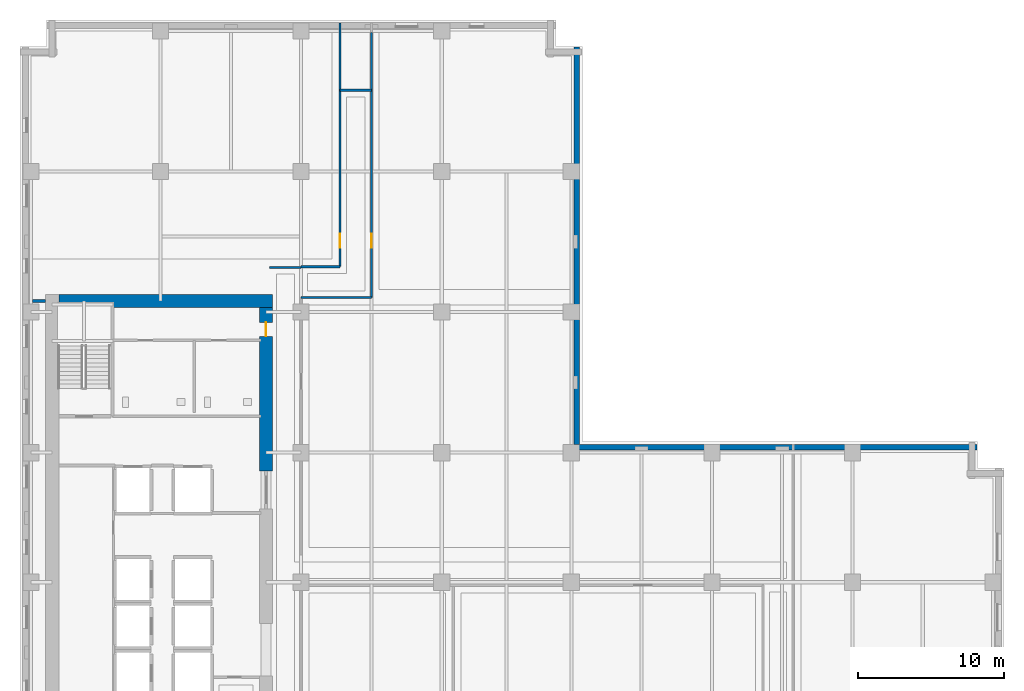
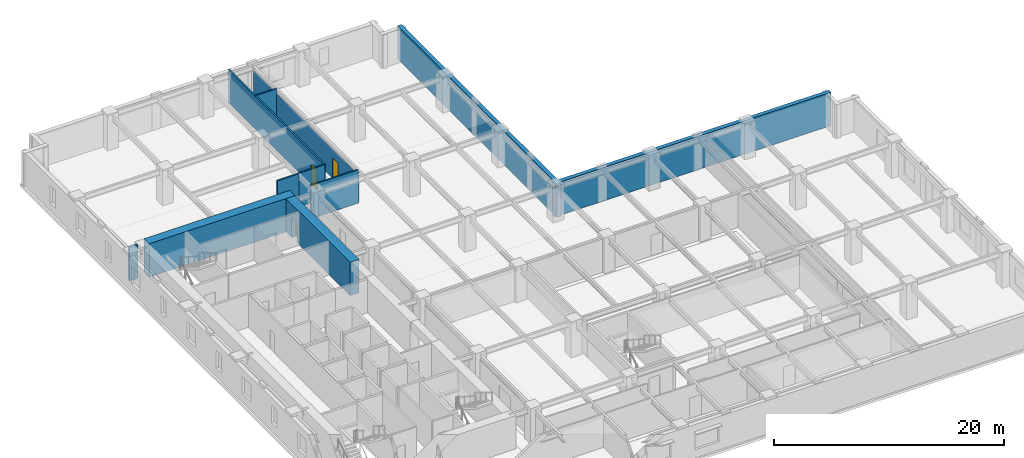
# One storey, part 7 of 14: 11 walls, 3 doors, 3 openings.
"""IFC4 building model written with IfcOpenShell, lengths in metres."""

import ifcopenshell
import ifcopenshell.guid

model = None  # the IFC model being written
_history = None  # IfcOwnerHistory: only IFC2X3 demands one
_inside = {}  # id of a spatial element -> (the spatial element, [elements in it])
_under = {}  # id of a project, library or spatial element -> (it, [spatial elements below it])
_declared = {}  # id of a project -> (the project, [libraries it declares])
_typed = {}  # id of a type object -> (the type object, [elements of that type])
_made_of = {}  # id of a material, layer set ... -> (it, [elements and type objects made of it])


def new_model(schema):
    """Start an empty IFC model of exactly this schema.

    Asked for "IFC4X3", IfcOpenShell would pick the latest addendum, in which some entities
    have other attributes; the version numbers below select the first issue.
    IFC2X3 requires an IfcOwnerHistory on every rooted entity: one is made here for all.
    """
    global model, _history
    if schema == "IFC4X3":
        model = ifcopenshell.file(schema_version=(4, 3, 0, 0))
    else:
        model = ifcopenshell.file(schema=schema)
    _inside.clear()
    _under.clear()
    _declared.clear()
    _typed.clear()
    _made_of.clear()
    _history = None
    if model.schema == "IFC2X3":
        org = make("IfcOrganization", Name="unknown")
        user = make(
            "IfcPersonAndOrganization",
            ThePerson=make("IfcPerson", FamilyName="unknown"),
            TheOrganization=org,
        )
        app = make(
            "IfcApplication",
            ApplicationDeveloper=org,
            Version="unknown",
            ApplicationFullName="unknown",
            ApplicationIdentifier="unknown",
        )
        _history = make(
            "IfcOwnerHistory",
            OwningUser=user,
            OwningApplication=app,
            ChangeAction="ADDED",
            CreationDate=0,
        )
    return model


def make(cls, **values):
    """One entity of the class cls with the attributes given. An attribute that is None is left unset."""
    return model.create_entity(
        cls, **{name: value for name, value in values.items() if value is not None}
    )


def rooted(cls, **values):
    """An entity with a GlobalId (a new one), such as an element, a storey or a relation."""
    return make(cls, GlobalId=ifcopenshell.guid.new(), OwnerHistory=_history, **values)


def si_unit(unit_type, name, prefix=None):
    """IfcSIUnit, for example si_unit("LENGTHUNIT", "METRE", prefix="MILLI")."""
    return make("IfcSIUnit", UnitType=unit_type, Prefix=prefix, Name=name)


def assignment(units):
    """IfcUnitAssignment: the units of a project."""
    return None if units is None else make("IfcUnitAssignment", Units=units)


def point(xyz):
    """IfcCartesianPoint."""
    return None if xyz is None else make("IfcCartesianPoint", Coordinates=xyz)


def direction(xyz):
    """IfcDirection."""
    return None if xyz is None else make("IfcDirection", DirectionRatios=xyz)


def frame(location, z_axis=None, x_axis=None):
    """IfcAxis2Placement3D, a coordinate frame: its origin and axes. An axis left out is left unset."""
    return make(
        "IfcAxis2Placement3D",
        Location=point(location),
        Axis=direction(z_axis),
        RefDirection=direction(x_axis),
    )


def frame_2d(location, x_axis=None):
    """IfcAxis2Placement2D, a coordinate frame in the plane: its origin and x axis."""
    return make(
        "IfcAxis2Placement2D", Location=point(location), RefDirection=direction(x_axis)
    )


def origin():
    """The frame at (0, 0, 0) with its axes left unset."""
    return frame((0.0, 0.0, 0.0))


def place(relative_to, where):
    """IfcLocalPlacement: puts the frame where relative to a parent placement (None: the world)."""
    return make(
        "IfcLocalPlacement", PlacementRelTo=relative_to, RelativePlacement=where
    )


def context(
    kind, dimensions, precision=None, world=None, true_north=None, identifier=None
):
    """IfcGeometricRepresentationContext, for example the 3D "Model" context."""
    return make(
        "IfcGeometricRepresentationContext",
        ContextIdentifier=identifier,
        ContextType=kind,
        CoordinateSpaceDimension=dimensions,
        Precision=precision,
        WorldCoordinateSystem=world,
        TrueNorth=true_north,
    )


def subcontext(parent, identifier, kind, view, scale=None):
    """IfcGeometricRepresentationSubContext, for example "Body" below "Model"."""
    return make(
        "IfcGeometricRepresentationSubContext",
        ContextIdentifier=identifier,
        ContextType=kind,
        ParentContext=parent,
        TargetScale=scale,
        TargetView=view,
    )


def project(units=None, contexts=None):
    """IfcProject with its units and contexts."""
    return rooted(
        "IfcProject",
        Name="project",
        RepresentationContexts=contexts,
        UnitsInContext=assignment(units),
    )


def spatial(cls, under=None, at=None, **own):
    """A site, building, storey or space (cls), placed at a placement, below another one or the project."""
    s = rooted(cls, ObjectPlacement=at, **own)
    if under is not None:
        _under.setdefault(under.id(), (under, []))[1].append(s)
    return s


def profile(cls, at=None, kind="AREA", **sizes):
    """A parametric profile (cls). Its sizes go by their IFC names, for example OverallWidth=200.0."""
    return make(cls, ProfileType=kind, Position=at, **sizes)


def rectangle(**sizes):
    """IfcRectangleProfileDef."""
    return profile("IfcRectangleProfileDef", **sizes)


def extrude(swept, where, along, depth):
    """IfcExtrudedAreaSolid: the profile swept, set in the frame where, extruded along a direction by depth."""
    return make(
        "IfcExtrudedAreaSolid",
        SweptArea=swept,
        Position=where,
        ExtrudedDirection=direction(along),
        Depth=depth,
    )


def shape(context_of_items, identifier, shape_type, items):
    """IfcShapeRepresentation: the items that make up one representation, for example the "Body"."""
    return make(
        "IfcShapeRepresentation",
        ContextOfItems=context_of_items,
        RepresentationIdentifier=identifier,
        RepresentationType=shape_type,
        Items=items,
    )


def material(Name=None, Category=None):
    """IfcMaterial."""
    return make("IfcMaterial", Name=Name, Category=Category)


def layer(
    of_material, thickness, ventilated=None, Name=None, Category=None, Priority=None
):
    """IfcMaterialLayer: one layer of a wall or slab, of a material (None: an air gap)."""
    return make(
        "IfcMaterialLayer",
        Material=of_material,
        LayerThickness=thickness,
        IsVentilated=ventilated,
        Name=Name,
        Category=Category,
        Priority=Priority,
    )


def layer_set(layers, Name=None):
    """IfcMaterialLayerSet."""
    return make("IfcMaterialLayerSet", MaterialLayers=layers, LayerSetName=Name)


def made_of(thing, what):
    """Note that an element or type object is made of a material, layer set ...; save() writes the relation."""
    if what is not None:
        _made_of.setdefault(what.id(), (what, []))[1].append(thing)
    return thing


def type_object(cls, material=None, **own):
    """A type object (cls), such as IfcWallType, which elements share."""
    return made_of(rooted(cls, **own), material)


def element(
    cls,
    number,
    at=None,
    inside=None,
    cuts=None,
    type_object=None,
    material=None,
    context=None,
    identifier="Body",
    shape_type=None,
    held_by="IfcProductDefinitionShape",
    body=None,
    shapes=None,
    **own,
):
    """One element of the class cls, such as IfcWall. Its Tag is "e" and its number.

    at: its placement. inside: the storey or other place that contains it. cuts: it is an
    opening in that element (IfcRelVoidsElement). A single representation is given by context,
    identifier, shape_type and body (its items); several are given by shapes. held_by: the class
    of the entity that holds the representations. save() writes the other relations.
    """
    e = rooted(cls, Tag="e%d" % number, ObjectPlacement=at, **own)
    if body is not None:
        shapes = [shape(context, identifier, shape_type, body)]
    if shapes is not None:
        e.Representation = make(held_by, Representations=shapes)
    if inside is not None:
        _inside.setdefault(inside.id(), (inside, []))[1].append(e)
    if cuts is not None:
        rooted(
            "IfcRelVoidsElement", RelatingBuildingElement=cuts, RelatedOpeningElement=e
        )
    if type_object is not None:
        _typed.setdefault(type_object.id(), (type_object, []))[1].append(e)
    return made_of(e, material)


def fill(opening, filler):
    """IfcRelFillsElement: the door or window that sits in an opening."""
    return rooted(
        "IfcRelFillsElement",
        RelatingOpeningElement=opening,
        RelatedBuildingElement=filler,
    )


def aggregate(whole, parts):
    """IfcRelAggregates: a whole, such as a stair, and the parts it consists of."""
    return rooted("IfcRelAggregates", RelatingObject=whole, RelatedObjects=parts)


def save(model, path):
    """Write the relations noted so far, then the file.

    IfcRelAggregates (storeys below a building ...), IfcRelContainedInSpatialStructure (elements
    in a storey), IfcRelDefinesByType, IfcRelAssociatesMaterial and IfcRelDeclares: one each for
    every whole, place, type object, material and project.
    """
    for whole, parts in _under.values():
        aggregate(whole, parts)
    for where, things in _inside.values():
        rooted(
            "IfcRelContainedInSpatialStructure",
            RelatedElements=things,
            RelatingStructure=where,
        )
    for kind, things in _typed.values():
        rooted("IfcRelDefinesByType", RelatedObjects=things, RelatingType=kind)
    for what, things in _made_of.values():
        rooted("IfcRelAssociatesMaterial", RelatedObjects=things, RelatingMaterial=what)
    for by, libraries in _declared.values():
        rooted("IfcRelDeclares", RelatingContext=by, RelatedDefinitions=libraries)
    model.write(path)


model = new_model("IFC4")

# Units and contexts
model_context = context("Model", 3, precision=1e-05, world=origin(), true_north=direction((0.0, 1.0)))
body_context = subcontext(model_context, "Body", "Model", "MODEL_VIEW")
ifc_project = project(units=[si_unit("LENGTHUNIT", "METRE"), si_unit("AREAUNIT", "SQUARE_METRE"), si_unit("VOLUMEUNIT", "CUBIC_METRE"), si_unit("PLANEANGLEUNIT", "RADIAN"), si_unit("MASSUNIT", "GRAM", prefix="KILO")], contexts=[model_context])

# Site, building, storey
site_placement = place(None, origin())
site = spatial("IfcSite", under=ifc_project, at=site_placement, CompositionType="ELEMENT")
building_placement = place(site_placement, origin())
building = spatial("IfcBuilding", under=site, at=building_placement, Name="Norrvale University Quadrangle", CompositionType="ELEMENT")
storey_placement = place(building_placement, frame((0.0, 0.0, 73.60009765625)))
storey = spatial("IfcBuildingStorey", under=building, at=storey_placement, Name="L18", CompositionType="ELEMENT", Elevation=73.60009765625)

# Wall
ifc_material_1 = material(Name="Concrete C80/95", Category="concrete")
ifc_layer_1 = layer(ifc_material_1, 0.89990234375, Name="Concrete C80/95")
ifc_layer_set_1 = layer_set([ifc_layer_1], Name="Concrete C80/95")
wall_type_1 = type_object("IfcWallType", Name="Wall Core 900", PredefinedType="SHEAR", material=ifc_layer_set_1)
wall_1_placement = place(storey_placement, frame((2.64990234375, 48.0, 0.0), z_axis=(0.0, 0.0, 1.0), x_axis=(1.0, 0.0, 0.0)))
element("IfcWall", 1, at=wall_1_placement, inside=storey, type_object=wall_type_1, Name="Tower Core Shear Wall L18-N", PredefinedType="SHEAR", context=body_context, shape_type="SweptSolid", body=[
    extrude(rectangle(XDim=14.60009765625, YDim=0.89990234375, at=frame_2d((7.300048828125, 0.0))), origin(), (0.0, 0.0, 1.0), 3.539794921875),
])

# Wall, opening, door
wall_2_placement = place(storey_placement, frame((16.800048828125, 36.39990234375, 0.0), z_axis=(0.0, 0.0, 1.0), x_axis=(0.0, 1.0, 0.0)))
wall_2 = element("IfcWall", 2, at=wall_2_placement, inside=storey, type_object=wall_type_1, Name="Tower Core Shear Wall L18-E3", PredefinedType="SHEAR", context=body_context, shape_type="SweptSolid", body=[
    extrude(rectangle(XDim=11.150146484375, YDim=0.89990234375, at=frame_2d((5.5751953125, 0.0))), origin(), (0.0, 0.0, 1.0), 3.539794921875),
])
opening_1_placement = place(wall_2_placement, frame((9.199951171875, 0.0, 0.0)))
opening_1 = element("IfcOpeningElement", 3, at=opening_1_placement, cuts=wall_2, Name="Opening D07", PredefinedType="OPENING", context=body_context, shape_type="SweptSolid", body=[
    extrude(rectangle(XDim=0.949951171875, YDim=2.14990234375, at=frame_2d((0.47509765625, 1.074951171875))), frame((0.0, 0.4619140625, 0.0), z_axis=(0.0, -1.0, 0.0), x_axis=(1.0, 0.0, 0.0)), (0.0, 0.0, 1.0), 0.923828125),
])
ifc_material_2 = material(Name="Solid-Core Maple Door", Category="wood")
door_type = type_object("IfcDoorType", Name="Door Office 950x2150", OperationType="NOTDEFINED", PredefinedType="DOOR", material=ifc_material_2)
door_1_placement = place(opening_1_placement, origin())
door_1 = element("IfcDoor", 4, at=door_1_placement, inside=storey, type_object=door_type, Name="Door Office 950x2150 DR-L18-NECORR", OperationType="SINGLE_SWING_LEFT", OverallHeight=2.14990234375, OverallWidth=0.949951171875, PredefinedType="DOOR", context=body_context, shape_type="SweptSolid", body=[
    extrude(rectangle(XDim=0.949951171875, YDim=2.14990234375, at=frame_2d((0.47509765625, 1.074951171875))), frame((0.0, 0.02490234375, 0.0), z_axis=(0.0, -1.0, 0.0), x_axis=(1.0, 0.0, 0.0)), (0.0, 0.0, 1.0), 0.050048828125),
])
fill(opening_1, door_1)

# Walls
ifc_material_3 = material(Name="Fire-Rated Gypsum Stud Partition")
ifc_layer_2 = layer(ifc_material_3, 0.14990234375, Name="Fire-Rated Gypsum Stud Partition")
ifc_layer_set_2 = layer_set([ifc_layer_2], Name="Fire-Rated Gypsum Stud Partition")
wall_type_2 = type_object("IfcWallType", Name="Wall Gypsum Corridor 150", PredefinedType="PARTITIONING", material=ifc_layer_set_2)
wall_3_placement = place(storey_placement, frame((17.050048828125, 50.300048828125, 0.0), z_axis=(0.0, 0.0, 1.0), x_axis=(1.0, 0.0, 0.0)))
element("IfcWall", 5, at=wall_3_placement, inside=storey, type_object=wall_type_2, Name="Interior Partition WL-L18-CN-END", PredefinedType="PARTITIONING", context=body_context, shape_type="SweptSolid", body=[
    extrude(rectangle(XDim=2.14990234375, YDim=0.14990234375, at=frame_2d((1.074951171875, 0.0))), origin(), (0.0, 0.0, 1.0), 3.539794921875),
])
wall_4_placement = place(storey_placement, frame((19.199951171875, 48.25, 0.0), z_axis=(0.0, 0.0, 1.0), x_axis=(1.0, 0.0, 0.0)))
element("IfcWall", 6, at=wall_4_placement, inside=storey, type_object=wall_type_2, Name="Interior Partition WL-L18-JOGS", PredefinedType="PARTITIONING", context=body_context, shape_type="SweptSolid", body=[
    extrude(rectangle(XDim=4.800048828125, YDim=0.14990234375, at=frame_2d((2.39990234375, 0.0))), origin(), (0.0, 0.0, 1.0), 3.539794921875),
])
wall_5_placement = place(storey_placement, frame((19.199951171875, 50.35009765625, 0.0), z_axis=(0.0, 0.0, 1.0), x_axis=(1.0, 0.0, 0.0)))
element("IfcWall", 7, at=wall_5_placement, inside=storey, type_object=wall_type_2, Name="Interior Partition WL-L18-JOGN", PredefinedType="PARTITIONING", context=body_context, shape_type="SweptSolid", body=[
    extrude(rectangle(XDim=2.650146484375, YDim=0.14990234375, at=frame_2d((1.3251953125, 0.0))), origin(), (0.0, 0.0, 1.0), 3.539794921875),
])
wall_6_placement = place(storey_placement, frame((21.85009765625, 62.39990234375, 0.0), z_axis=(0.0, 0.0, 1.0), x_axis=(1.0, 0.0, 0.0)))
element("IfcWall", 8, at=wall_6_placement, inside=storey, type_object=wall_type_2, Name="Interior Partition WL-L18-JOGEND", PredefinedType="PARTITIONING", context=body_context, shape_type="SweptSolid", body=[
    extrude(rectangle(XDim=2.14990234375, YDim=0.14990234375, at=frame_2d((1.074951171875, 0.0))), origin(), (0.0, 0.0, 1.0), 3.539794921875),
])

# Wall, opening, door
wall_7_placement = place(storey_placement, frame((24.0, 48.25, 0.0), z_axis=(0.0, 0.0, 1.0), x_axis=(0.0, 1.0, 0.0)))
wall_7 = element("IfcWall", 9, at=wall_7_placement, inside=storey, type_object=wall_type_2, Name="Interior Partition WL-L18-NECW", PredefinedType="PARTITIONING", context=body_context, shape_type="SweptSolid", body=[
    extrude(rectangle(XDim=18.093994140625, YDim=0.14990234375, at=frame_2d((9.046875, 0.0))), origin(), (0.0, 0.0, 1.0), 3.0068359375),
])
opening_2_placement = place(wall_7_placement, frame((3.39990234375, 0.0, 0.0)))
opening_2 = element("IfcOpeningElement", 10, at=opening_2_placement, cuts=wall_7, Name="Opening D07", PredefinedType="OPENING", context=body_context, shape_type="SweptSolid", body=[
    extrude(rectangle(XDim=0.949951171875, YDim=2.14990234375, at=frame_2d((0.47509765625, 1.074951171875))), frame((0.0, 0.0869140625, 0.0), z_axis=(0.0, -1.0, 0.0), x_axis=(1.0, 0.0, 0.0)), (0.0, 0.0, 1.0), 0.173828125),
])
door_2_placement = place(opening_2_placement, origin())
door_2 = element("IfcDoor", 11, at=door_2_placement, inside=storey, type_object=door_type, Name="Door Office 950x2150 DR-L18-NE01", OperationType="SINGLE_SWING_RIGHT", OverallHeight=2.14990234375, OverallWidth=0.949951171875, PredefinedType="DOOR", context=body_context, shape_type="SweptSolid", body=[
    extrude(rectangle(XDim=0.949951171875, YDim=2.14990234375, at=frame_2d((0.47509765625, 1.074951171875))), frame((0.0, 0.02490234375, 0.0), z_axis=(0.0, -1.0, 0.0), x_axis=(1.0, 0.0, 0.0)), (0.0, 0.0, 1.0), 0.050048828125),
])
fill(opening_2, door_2)

wall_8_placement = place(storey_placement, frame((21.85009765625, 50.35009765625, 0.0), z_axis=(0.0, 0.0, 1.0), x_axis=(0.0, 1.0, 0.0)))
wall_8 = element("IfcWall", 12, at=wall_8_placement, inside=storey, type_object=wall_type_2, Name="Interior Partition WL-L18-NWCW", PredefinedType="PARTITIONING", context=body_context, shape_type="SweptSolid", body=[
    extrude(rectangle(XDim=16.6298828125, YDim=0.14990234375, at=frame_2d((8.31494140625, 0.0))), origin(), (0.0, 0.0, 1.0), 3.539794921875),
])
opening_3_placement = place(wall_8_placement, frame((1.300048828125, 0.0, 0.0)))
opening_3 = element("IfcOpeningElement", 13, at=opening_3_placement, cuts=wall_8, Name="Opening D07", PredefinedType="OPENING", context=body_context, shape_type="SweptSolid", body=[
    extrude(rectangle(XDim=0.949951171875, YDim=2.14990234375, at=frame_2d((0.47509765625, 1.074951171875))), frame((0.0, 0.0869140625, 0.0), z_axis=(0.0, -1.0, 0.0), x_axis=(1.0, 0.0, 0.0)), (0.0, 0.0, 1.0), 0.173828125),
])
door_3_placement = place(opening_3_placement, origin())
door_3 = element("IfcDoor", 14, at=door_3_placement, inside=storey, type_object=door_type, Name="Door Office 950x2150 DR-L18-NW01", OperationType="SINGLE_SWING_RIGHT", OverallHeight=2.14990234375, OverallWidth=0.949951171875, PredefinedType="DOOR", context=body_context, shape_type="SweptSolid", body=[
    extrude(rectangle(XDim=0.949951171875, YDim=2.14990234375, at=frame_2d((0.47509765625, 1.074951171875))), frame((0.0, 0.02490234375, 0.0), z_axis=(0.0, -1.0, 0.0), x_axis=(1.0, 0.0, 0.0)), (0.0, 0.0, 1.0), 0.050048828125),
])
fill(opening_3, door_3)

# Walls
ifc_material_4 = material(Name="Concrete Blockwork 20 MPa Rated Wall", Category="masonry")
ifc_layer_3 = layer(ifc_material_4, 0.199951171875, Name="Concrete Blockwork 20 MPa Rated Wall")
ifc_layer_set_3 = layer_set([ifc_layer_3], Name="Concrete Blockwork 20 MPa Rated Wall")
wall_type_3 = type_object("IfcWallType", Name="Wall Lobby 200", PredefinedType="SOLIDWALL", material=ifc_layer_set_3)
wall_9_placement = place(storey_placement, frame((0.85009765625, 48.0, 0.0), z_axis=(0.0, 0.0, 1.0), x_axis=(1.0, 0.0, 0.0)))
element("IfcWall", 15, at=wall_9_placement, inside=storey, type_object=wall_type_3, Name="Interior Partition WL-L18-CWRET-N", PredefinedType="SOLIDWALL", context=body_context, shape_type="SweptSolid", body=[
    extrude(rectangle(XDim=0.89501953125, YDim=0.199951171875, at=frame_2d((0.447509765625, 0.0))), origin(), (0.0, 0.0, 1.0), 3.539794921875),
])
ifc_material_5 = material(Name="Red Manganese Brick Masonry", Category="masonry")
ifc_layer_4 = layer(ifc_material_5, 0.39990234375, Name="Red Manganese Brick Masonry")
ifc_layer_set_4 = layer_set([ifc_layer_4], Name="Red Manganese Brick Masonry")
wall_type_4 = type_object("IfcWallType", Name="Wall Red Brick 400", PredefinedType="SOLIDWALL", material=ifc_layer_set_4)
for number, where, z_axis, x_axis, name in (
    (16, (65.360107421875, 38.02001953125, 0.0), (0.0, 0.0, 1.0), (-1.0, 0.0, 0.0), "Exterior Brick Facade Wall L18-07.1"),
    (17, (38.02001953125, 37.679931640625, 0.0), (0.0, 0.0, 1.0), (0.0, 1.0, 0.0), "Exterior Brick Facade Wall L18-08.1"),
):
    element("IfcWall", number, at=place(storey_placement, frame(where, z_axis=z_axis, x_axis=x_axis)), inside=storey, type_object=wall_type_4, Name=name, PredefinedType="SOLIDWALL", context=body_context, shape_type="SweptSolid", body=[
        extrude(rectangle(XDim=27.68017578125, YDim=0.39990234375, at=frame_2d((13.840087890625, 0.0))), origin(), (0.0, 0.0, 1.0), 3.539794921875),
    ])

save(model, "model.ifc")
